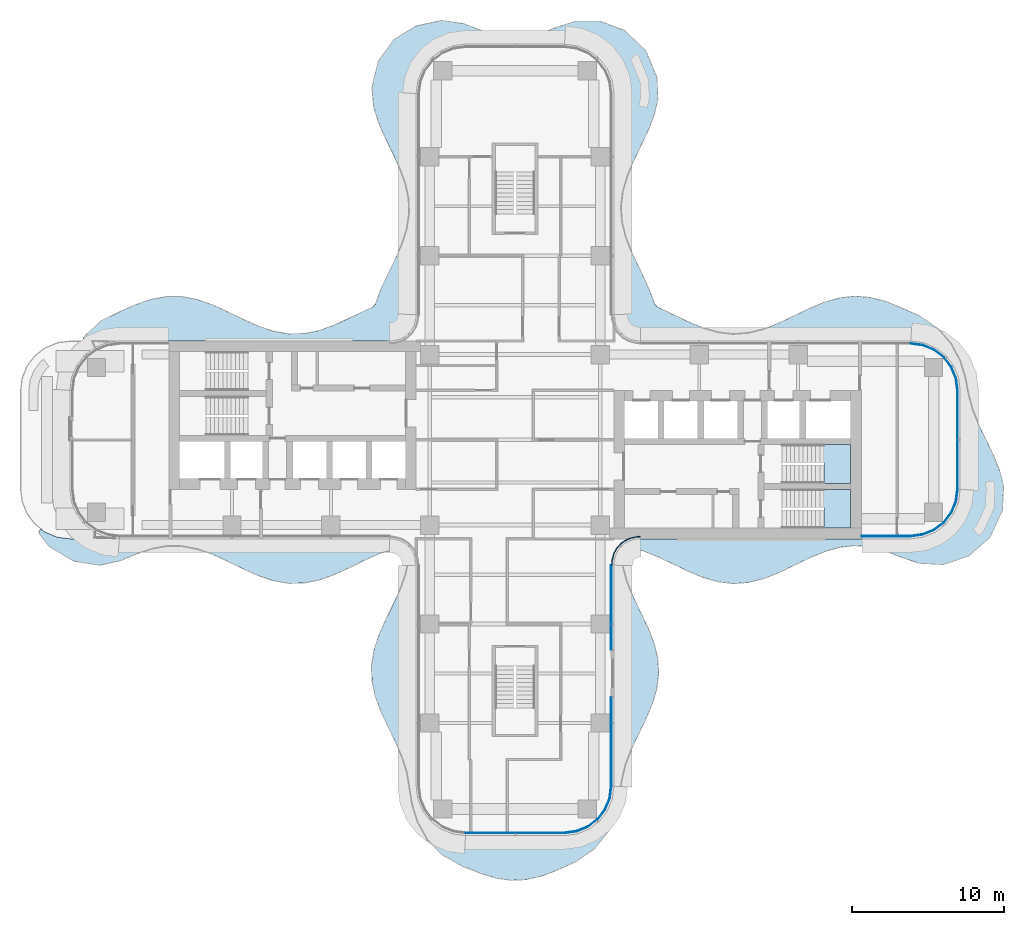
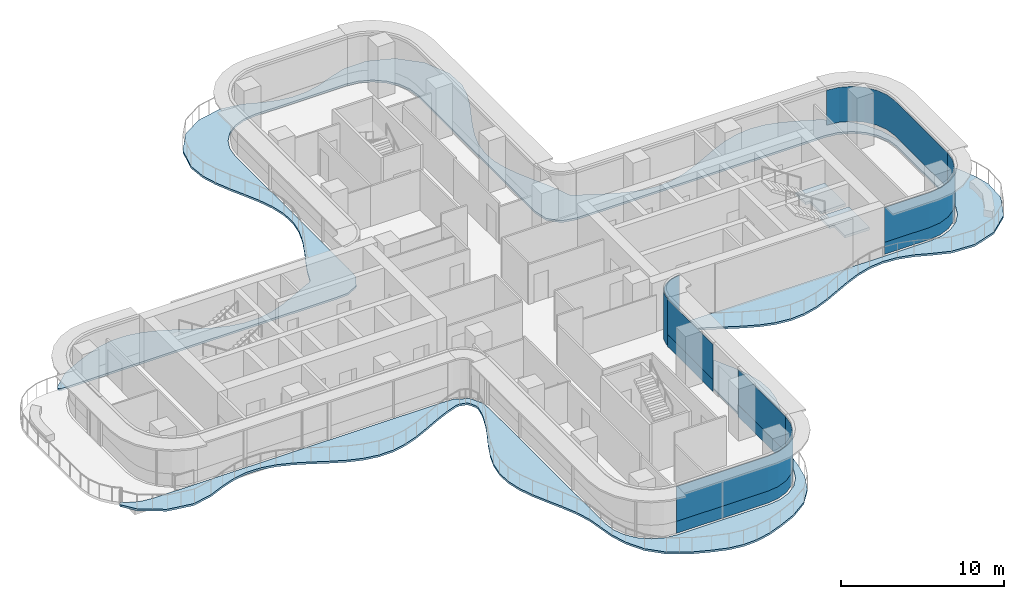
# One storey, part 10 of 17: 10 plates, 3 slabs, 8 elements without a shape of their own.
"""IFC4 building model written with IfcOpenShell, lengths in metres."""

from ifc_helpers import new_model, si_unit, direction, frame, origin, place, context, subcontext, project, spatial, polyline, outline, extrude, source, transform, mapped, material, layer, layer_set, type_object, element, aggregate, save


model = new_model("IFC4")

# Units and contexts
model_context = context("Model", 3, precision=1e-05, world=origin(), true_north=direction((0.0, 1.0)))
body_context = subcontext(model_context, "Body", "Model", "MODEL_VIEW")
ifc_project = project(units=[si_unit("LENGTHUNIT", "METRE"), si_unit("AREAUNIT", "SQUARE_METRE"), si_unit("VOLUMEUNIT", "CUBIC_METRE"), si_unit("PLANEANGLEUNIT", "RADIAN"), si_unit("MASSUNIT", "GRAM", prefix="KILO")], contexts=[model_context])

# Site, building, storey
site_placement = place(None, origin())
site = spatial("IfcSite", under=ifc_project, at=site_placement, CompositionType="ELEMENT")
building_placement = place(site_placement, origin())
building = spatial("IfcBuilding", under=site, at=building_placement, Name="Trellis Farm Tower", CompositionType="ELEMENT")
storey_placement = place(building_placement, frame((0.0, 0.0, 162.0)))
storey = spatial("IfcBuildingStorey", under=building, at=storey_placement, Name="L34", CompositionType="ELEMENT", Elevation=162.0)

# Slab
ifc_material_1 = material(Name="Concrete C40/50", Category="concrete")
ifc_layer_1 = layer(ifc_material_1, 0.14990234375)
ifc_layer_set_1 = layer_set([ifc_layer_1], Name="Balcony slab 150")
slab_type_1 = type_object("IfcSlabType", Name="Balcony slab 150", PredefinedType="FLOOR", material=ifc_layer_set_1)
slab_1_placement = place(storey_placement, frame((0.0, 0.0, -0.14990234375)))
element("IfcSlab", 1, at=slab_1_placement, inside=storey, type_object=slab_type_1, Name="Balcony slab", PredefinedType="FLOOR", context=body_context, shape_type="SweptSolid", body=[
    extrude(outline(polyline([(-31.310546875, -6.02294921875), (-31.26611328125, -5.927490234375), (-31.170166015625, -5.884521484375), (-31.069580078125, -5.915283203125), (-30.8828125, -6.05859375), (-30.865966796875, -6.068359375), (-30.10009765625, -6.385498046875), (-30.081298828125, -6.390380859375), (-29.2548828125, -6.49951171875), (-29.2451171875, -6.5), (-26.004638671875, -6.5), (-26.0, -6.50048828125), (-8.84716796875, -6.50048828125), (-7.9208984375, -6.538818359375), (-7.88818359375, -6.543701171875), (-7.847412109375, -6.5546875), (-7.816650390625, -6.56640625), (-7.064453125, -6.959228515625), (-7.02783203125, -6.986083984375), (-6.988037109375, -7.02587890625), (-6.961181640625, -7.0625), (-6.5673828125, -7.81396484375), (-6.555419921875, -7.8447265625), (-6.544189453125, -7.8857421875), (-6.539306640625, -7.918212890625), (-6.50048828125, -8.844482421875), (-6.50048828125, -22.75), (-6.389892578125, -23.59130859375), (-6.065185546875, -24.375244140625), (-5.548583984375, -25.048583984375), (-4.875244140625, -25.565185546875), (-4.09130859375, -25.889892578125), (-3.25, -26.00048828125), (3.25, -26.00048828125), (4.09130859375, -25.889892578125), (4.875244140625, -25.565185546875), (5.548583984375, -25.048583984375), (6.065185546875, -24.375244140625), (6.389892578125, -23.59130859375), (6.50048828125, -22.75), (6.50048828125, -8.386962890625), (6.503173828125, -8.362548828125), (6.68798828125, -7.46533203125), (6.702880859375, -7.424072265625), (6.728515625, -7.376953125), (6.75439453125, -7.34228515625), (7.344482421875, -6.753173828125), (7.379150390625, -6.727294921875), (7.426513671875, -6.70166015625), (7.4677734375, -6.686767578125), (8.365234375, -6.5029296875), (8.389404296875, -6.50048828125), (26.0, -6.50048828125), (26.84130859375, -6.389892578125), (27.625244140625, -6.065185546875), (28.298583984375, -5.548583984375), (28.815185546875, -4.875244140625), (29.139892578125, -4.09130859375), (29.25048828125, -3.25), (29.25048828125, 3.25), (29.139892578125, 4.09130859375), (28.815185546875, 4.875244140625), (28.298583984375, 5.548583984375), (27.625244140625, 6.065185546875), (26.84130859375, 6.389892578125), (26.0, 6.50048828125), (8.389404296875, 6.50048828125), (8.365234375, 6.5029296875), (7.4677734375, 6.686767578125), (7.426513671875, 6.70166015625), (7.379150390625, 6.727294921875), (7.344482421875, 6.753173828125), (6.75439453125, 7.34228515625), (6.728515625, 7.376953125), (6.702880859375, 7.424072265625), (6.68798828125, 7.46533203125), (6.503173828125, 8.362548828125), (6.50048828125, 8.386962890625), (6.50048828125, 22.75), (6.389892578125, 23.59130859375), (6.065185546875, 24.375244140625), (5.548583984375, 25.048583984375), (4.875244140625, 25.565185546875), (4.09130859375, 25.889892578125), (3.25, 26.00048828125), (-3.25, 26.00048828125), (-4.09130859375, 25.889892578125), (-4.875244140625, 25.565185546875), (-5.548583984375, 25.048583984375), (-6.065185546875, 24.375244140625), (-6.389892578125, 23.59130859375), (-6.50048828125, 22.75), (-6.50048828125, 8.84814453125), (-6.539306640625, 7.918212890625), (-6.54443359375, 7.885498046875), (-6.555419921875, 7.8447265625), (-6.5673828125, 7.81396484375), (-6.961181640625, 7.0625), (-6.988037109375, 7.02587890625), (-7.02783203125, 6.986083984375), (-7.064453125, 6.959228515625), (-7.816650390625, 6.56640625), (-7.847412109375, 6.5546875), (-7.88818359375, 6.543701171875), (-7.9208984375, 6.538818359375), (-8.8505859375, 6.50048828125), (-26.0, 6.50048828125), (-26.004638671875, 6.5), (-28.23291015625, 6.5), (-28.330810546875, 6.53662109375), (-28.381103515625, 6.62841796875), (-28.359130859375, 6.730712890625), (-28.302490234375, 6.8193359375), (-28.276611328125, 6.849853515625), (-27.21337890625, 7.81005859375), (-27.179443359375, 7.833251953125), (-25.909912109375, 8.462646484375), (-25.90185546875, 8.46630859375), (-24.859375, 8.908447265625), (-24.84912109375, 8.912353515625), (-23.87255859375, 9.2451171875), (-23.8505859375, 9.250732421875), (-22.8798828125, 9.425537109375), (-22.852294921875, 9.427978515625), (-21.881103515625, 9.420166015625), (-21.853515625, 9.41748046875), (-20.875, 9.225830078125), (-20.853759765625, 9.219970703125), (-19.8662109375, 8.870361328125), (-19.853759765625, 8.865478515625), (-18.857177734375, 8.409423828125), (-18.853759765625, 8.40771484375), (-17.849609375, 7.916015625), (-17.847412109375, 7.914794921875), (-16.873779296875, 7.479736328125), (-16.8671875, 7.477294921875), (-15.88671875, 7.147216796875), (-15.875732421875, 7.14453125), (-14.89599609375, 6.97265625), (-14.88232421875, 6.971435546875), (-13.896728515625, 6.983642578125), (-13.883056640625, 6.985107421875), (-12.888427734375, 7.18359375), (-12.877685546875, 7.1865234375), (-11.876220703125, 7.544189453125), (-11.870361328125, 7.546875), (-10.864501953125, 8.0087890625), (-10.86279296875, 8.009765625), (-9.8662109375, 8.497802734375), (-9.861083984375, 8.500244140625), (-9.36962890625, 8.718505859375), (-9.356689453125, 8.725830078125), (-9.261474609375, 8.793701171875), (-9.2412109375, 8.815185546875), (-9.179931640625, 8.914794921875), (-9.173583984375, 8.92822265625), (-8.832275390625, 9.85888671875), (-8.827392578125, 9.870361328125), (-8.37158203125, 10.854248046875), (-8.370361328125, 10.85693359375), (-7.87890625, 11.861572265625), (-7.877685546875, 11.864501953125), (-7.43701171875, 12.868896484375), (-7.43408203125, 12.876220703125), (-7.114990234375, 13.87646484375), (-7.1123046875, 13.887939453125), (-6.962646484375, 14.880126953125), (-6.9619140625, 14.894287109375), (-7.00048828125, 15.877685546875), (-7.002197265625, 15.89111328125), (-7.219970703125, 16.8701171875), (-7.222900390625, 16.880126953125), (-7.588134765625, 17.861572265625), (-7.590576171875, 17.866943359375), (-8.0498046875, 18.85302734375), (-8.05029296875, 18.854248046875), (-8.5341796875, 19.843505859375), (-8.536865234375, 19.849609375), (-8.9736328125, 20.850341796875), (-8.979248046875, 20.865478515625), (-9.288818359375, 21.85107421875), (-9.295166015625, 21.882080078125), (-9.4091796875, 23.105224609375), (-9.40576171875, 23.15380859375), (-9.01025390625, 24.82177734375), (-9.00048828125, 24.849853515625), (-8.984619140625, 24.884765625), (-8.969482421875, 24.910400390625), (-7.972900390625, 26.281005859375), (-7.953857421875, 26.302734375), (-7.92626953125, 26.328125), (-7.9033203125, 26.345703125), (-6.55908203125, 27.1787109375), (-6.511962890625, 27.19775390625), (-4.860595703125, 27.55859375), (-4.8330078125, 27.56201171875), (-4.79833984375, 27.56298828125), (-4.771240234375, 27.561279296875), (-3.37060546875, 27.34716796875), (-3.33837890625, 27.338623046875), (-2.2626953125, 26.9169921875), (-2.2578125, 26.915283203125), (-1.281494140625, 26.609130859375), (-1.27001953125, 26.6064453125), (-0.289794921875, 26.4619140625), (-0.27587890625, 26.461181640625), (0.711181640625, 26.50244140625), (0.724609375, 26.50439453125), (1.720458984375, 26.72998046875), (1.730224609375, 26.73291015625), (2.748046875, 27.116455078125), (2.755615234375, 27.118896484375), (3.955078125, 27.501220703125), (3.999267578125, 27.50830078125), (5.518310546875, 27.52099609375), (5.5458984375, 27.5185546875), (5.581298828125, 27.51220703125), (5.608154296875, 27.5048828125), (7.19189453125, 26.9052734375), (7.218994140625, 26.8916015625), (7.252197265625, 26.87060546875), (7.27587890625, 26.851806640625), (8.55908203125, 25.614013671875), (8.578857421875, 25.59033203125), (8.601318359375, 25.557373046875), (8.615966796875, 25.5302734375), (9.31689453125, 23.828369140625), (9.324951171875, 23.802978515625), (9.332275390625, 23.76953125), (9.33544921875, 23.743408203125), (9.38818359375, 22.391845703125), (9.384521484375, 22.35205078125), (9.156494140625, 21.3701171875), (9.150390625, 21.35009765625), (8.76611328125, 20.34912109375), (8.76123046875, 20.338134765625), (7.812744140625, 18.3603515625), (7.8115234375, 18.357421875), (7.391357421875, 17.373779296875), (7.388427734375, 17.36572265625), (7.07958984375, 16.330078125), (7.0771484375, 16.31787109375), (6.955810546875, 15.3271484375), (6.95556640625, 15.31298828125), (7.02294921875, 14.330810546875), (7.02490234375, 14.31787109375), (7.268310546875, 13.33837890625), (7.27099609375, 13.329345703125), (7.65478515625, 12.347412109375), (7.656982421875, 12.34228515625), (8.60986328125, 10.356689453125), (8.61279296875, 10.35009765625), (9.02587890625, 9.373291015625), (9.031005859375, 9.359619140625), (9.15576171875, 8.960693359375), (9.162109375, 8.9462890625), (9.223388671875, 8.837890625), (9.244384765625, 8.814453125), (9.345947265625, 8.74072265625), (9.357421875, 8.73388671875), (11.349365234375, 7.777587890625), (11.352783203125, 7.77587890625), (12.336181640625, 7.36328125), (12.34423828125, 7.3603515625), (13.32373046875, 7.074951171875), (13.3359375, 7.072509765625), (14.316650390625, 6.95556640625), (14.330810546875, 6.955078125), (15.319091796875, 7.02587890625), (15.33203125, 7.02783203125), (16.3291015625, 7.27978515625), (16.33837890625, 7.28271484375), (17.36279296875, 7.688720703125), (17.367431640625, 7.69091796875), (19.3447265625, 8.641357421875), (19.352294921875, 8.644775390625), (20.33447265625, 9.052734375), (20.35107421875, 9.05859375), (21.324951171875, 9.335205078125), (21.349609375, 9.340087890625), (22.319580078125, 9.4462890625), (22.34814453125, 9.44677734375), (23.321533203125, 9.366943359375), (23.34716796875, 9.362548828125), (24.3291015625, 9.105712890625), (24.346923828125, 9.099853515625), (25.34814453125, 8.69775390625), (25.35302734375, 8.69580078125), (26.54150390625, 8.1708984375), (26.5654296875, 8.15771484375), (27.773193359375, 7.335205078125), (27.802490234375, 7.30908203125), (28.646728515625, 6.330322265625), (28.66552734375, 6.302978515625), (29.239990234375, 5.2265625), (29.251220703125, 5.199951171875), (29.586669921875, 4.104736328125), (29.5908203125, 4.08837890625), (29.79541015625, 2.99267578125), (29.796875, 2.98681640625), (30.069580078125, 1.982666015625), (30.07275390625, 1.97412109375), (30.473388671875, 0.991455078125), (30.47509765625, 0.9873046875), (31.4306640625, -1.0), (31.434326171875, -1.008544921875), (31.829345703125, -1.97900390625), (31.83544921875, -1.9970703125), (32.094970703125, -2.9794921875), (32.099609375, -3.02392578125), (32.035400390625, -4.577392578125), (32.03125, -4.606689453125), (32.0224609375, -4.642578125), (32.01318359375, -4.669677734375), (31.243896484375, -6.34375), (31.227783203125, -6.370849609375), (31.20361328125, -6.4033203125), (31.18212890625, -6.426513671875), (29.8310546875, -7.60888671875), (29.806884765625, -7.626220703125), (29.773681640625, -7.645263671875), (29.746337890625, -7.657470703125), (28.1728515625, -8.182373046875), (28.14599609375, -8.188720703125), (28.110595703125, -8.193603515625), (28.082275390625, -8.194580078125), (26.56103515625, -8.1142578125), (26.52001953125, -8.106201171875), (25.355712890625, -7.70458984375), (25.348876953125, -7.7021484375), (24.33203125, -7.295654296875), (24.322998046875, -7.292724609375), (23.32568359375, -7.034423828125), (23.312744140625, -7.0322265625), (22.32421875, -6.95458984375), (22.309814453125, -6.95458984375), (21.3291015625, -7.064697265625), (21.31689453125, -7.067138671875), (20.337158203125, -7.3466796875), (20.3291015625, -7.349609375), (19.345703125, -7.75830078125), (19.342041015625, -7.760009765625), (17.364501953125, -8.710693359375), (17.35498046875, -8.71484375), (16.353759765625, -9.11279296875), (16.33544921875, -9.11865234375), (15.353759765625, -9.369384765625), (15.327880859375, -9.37353515625), (14.354736328125, -9.446044921875), (14.326171875, -9.445556640625), (13.356201171875, -9.332275390625), (13.331787109375, -9.327392578125), (12.357666015625, -9.044677734375), (12.341552734375, -9.0390625), (11.35888671875, -8.626953125), (11.351806640625, -8.623779296875), (9.37353515625, -7.67333984375), (9.368896484375, -7.67138671875), (8.42431640625, -7.292724609375), (8.40771484375, -7.2880859375), (7.783935546875, -7.19287109375), (7.767333984375, -7.192138671875), (7.648681640625, -7.200439453125), (7.619873046875, -7.20849609375), (7.513916015625, -7.263671875), (7.5009765625, -7.272216796875), (7.23583984375, -7.48876953125), (7.224609375, -7.499755859375), (7.148193359375, -7.59521484375), (7.13427734375, -7.622802734375), (7.103515625, -7.7412109375), (7.10107421875, -7.756591796875), (7.076171875, -8.3046875), (7.07666015625, -8.317138671875), (7.08935546875, -8.420654296875), (7.091796875, -8.432861328125), (7.361083984375, -9.336181640625), (7.364013671875, -9.34375), (7.793701171875, -10.3642578125), (7.795166015625, -10.36767578125), (8.74951171875, -12.356689453125), (8.75390625, -12.3671875), (9.13134765625, -13.33544921875), (9.13720703125, -13.35400390625), (9.377197265625, -14.326171875), (9.381103515625, -14.352783203125), (9.444091796875, -15.355712890625), (9.443115234375, -15.384521484375), (9.31591796875, -16.3544921875), (9.310791015625, -16.378173828125), (9.023193359375, -17.334716796875), (9.017578125, -17.35009765625), (8.591064453125, -18.351806640625), (8.58837890625, -18.35791015625), (7.64013671875, -20.335205078125), (7.6376953125, -20.340576171875), (7.2587890625, -21.322265625), (7.255859375, -21.33154296875), (7.01513671875, -22.326171875), (7.013671875, -22.333984375), (6.87060546875, -23.41162109375), (6.868408203125, -23.42333984375), (6.63330078125, -24.5234375), (6.62451171875, -24.55126953125), (6.121826171875, -25.725830078125), (6.101318359375, -25.76025390625), (5.24169921875, -26.841552734375), (5.21044921875, -26.87109375), (4.004638671875, -27.715576171875), (3.97998046875, -27.7294921875), (2.75634765625, -28.27978515625), (2.748046875, -28.282958984375), (1.769287109375, -28.65576171875), (1.74951171875, -28.66162109375), (0.7470703125, -28.893310546875), (0.719970703125, -28.89697265625), (-0.252197265625, -28.94091796875), (-0.2802734375, -28.939697265625), (-1.22314453125, -28.8046875), (-1.246337890625, -28.799560546875), (-2.24853515625, -28.48828125), (-2.25830078125, -28.48486328125), (-3.381103515625, -28.04931640625), (-3.399169921875, -28.041015625), (-4.72998046875, -27.309326171875), (-4.764404296875, -27.283447265625), (-5.749267578125, -26.28759765625), (-5.77392578125, -26.254638671875), (-6.39453125, -25.12939453125), (-6.406005859375, -25.1025390625), (-6.75830078125, -23.998779296875), (-6.76318359375, -23.977294921875), (-7.10302734375, -21.879638671875), (-7.105712890625, -21.869140625), (-7.419189453125, -20.8701171875), (-7.422119140625, -20.86279296875), (-7.865478515625, -19.844482421875), (-7.86669921875, -19.841552734375), (-8.3515625, -18.8505859375), (-8.352783203125, -18.847900390625), (-8.816650390625, -17.850341796875), (-8.8212890625, -17.839111328125), (-9.186279296875, -16.850341796875), (-9.192138671875, -16.830078125), (-9.40380859375, -15.8505859375), (-9.406982421875, -15.823486328125), (-9.4365234375, -14.851806640625), (-9.434814453125, -14.823486328125), (-9.280029296875, -13.853271484375), (-9.274658203125, -13.83056640625), (-8.957763671875, -12.854736328125), (-8.952392578125, -12.840576171875), (-8.521484375, -11.862548828125), (-8.51904296875, -11.85693359375), (-8.03173828125, -10.861328125), (-8.031005859375, -10.85986328125), (-7.57421875, -9.874267578125), (-7.57177734375, -9.868408203125), (-7.19775390625, -8.837890625), (-7.194580078125, -8.826904296875), (-7.046630859375, -8.08251953125), (-7.045654296875, -8.05859375), (-7.070068359375, -7.864013671875), (-7.07666015625, -7.841064453125), (-7.2490234375, -7.478759765625), (-7.2578125, -7.46484375), (-7.336669921875, -7.364013671875), (-7.36181640625, -7.343505859375), (-7.476318359375, -7.285888671875), (-7.49169921875, -7.2802734375), (-7.87451171875, -7.184326171875), (-7.895751953125, -7.18212890625), (-8.072509765625, -7.189453125), (-8.093505859375, -7.193603515625), (-8.872802734375, -7.461181640625), (-8.878662109375, -7.463623046875), (-9.853515625, -7.896240234375), (-9.85595703125, -7.8974609375), (-10.8603515625, -8.38916015625), (-10.863525390625, -8.390625), (-11.8603515625, -8.849365234375), (-11.872314453125, -8.854248046875), (-12.83642578125, -9.202392578125), (-12.85693359375, -9.2080078125), (-13.827880859375, -9.409423828125), (-13.855712890625, -9.41259765625), (-14.858642578125, -9.43115234375), (-14.886962890625, -9.428955078125), (-15.857421875, -9.2607421875), (-15.87939453125, -9.255126953125), (-16.840087890625, -8.93359375), (-16.853515625, -8.92822265625), (-17.848876953125, -8.484619140625), (-17.853759765625, -8.482177734375), (-18.856689453125, -7.99072265625), (-18.8583984375, -7.989990234375), (-19.864013671875, -7.530517578125), (-19.8701171875, -7.528076171875), (-20.87158203125, -7.17578125), (-20.882080078125, -7.1728515625), (-21.87646484375, -6.981201171875), (-21.890380859375, -6.979736328125), (-22.87548828125, -6.974853515625), (-22.88916015625, -6.97607421875), (-23.817626953125, -7.141357421875), (-23.828369140625, -7.14404296875), (-24.832763671875, -7.481689453125), (-24.838134765625, -7.483642578125), (-25.897216796875, -7.93359375), (-25.923828125, -7.942138671875), (-27.28955078125, -8.240234375), (-27.318115234375, -8.24365234375), (-27.35546875, -8.24462890625), (-27.38427734375, -8.242431640625), (-29.0185546875, -7.96240234375), (-29.04638671875, -7.954833984375), (-29.081298828125, -7.94140625), (-29.107177734375, -7.9287109375), (-30.60791015625, -6.998291015625), (-30.63037109375, -6.9814453125), (-30.6572265625, -6.956787109375), (-30.676025390625, -6.935791015625), (-31.28125, -6.123779296875), (-31.310546875, -6.02294921875)])), origin(), (0.0, 0.0, 1.0), 0.14990234375),
])

# Stair, slab
ifc_material_2 = material(Name="Concrete C50/60", Category="concrete")
stair_type = type_object("IfcStairType", Name="CORE EXIT STAIR 22 RISERS 177 MM", PredefinedType="HALF_TURN_STAIR", material=ifc_material_2)
placement_1 = place(storey_placement, origin())
stair_1 = element("IfcStair", 2, at=placement_1, inside=storey, type_object=stair_type, Name="Exit stair E1", PredefinedType="HALF_TURN_STAIR")
ifc_layer_2 = layer(ifc_material_2, 0.18994140625)
ifc_layer_set_2 = layer_set([ifc_layer_2], Name="CORE STAIR LANDING 190 CONCRETE C50/60")
slab_type_2 = type_object("IfcSlabType", Name="CORE STAIR LANDING 190 CONCRETE C50/60", PredefinedType="LANDING", material=ifc_layer_set_2)
shared_shape_1 = source(origin(), body_context, "Body", "SweptSolid", [
    extrude(outline(polyline([(20.2900390625, -5.800048828125), (20.2900390625, -4.60009765625), (20.300048828125, -4.60009765625), (20.300048828125, -4.449951171875), (19.971923828125, -4.449951171875), (19.971923828125, -3.25), (20.300048828125, -3.25), (22.050048828125, -3.25), (22.050048828125, -5.800048828125), (20.300048828125, -5.800048828125), (20.2900390625, -5.800048828125)])), origin(), (0.0, 0.0, 1.0), 0.18994140625),
])
placement_2 = place(storey_placement, frame((0.0, 0.0, 1.760009765625)))
slab_2 = element("IfcSlab", 3, at=placement_2, type_object=slab_type_2, Name="STE1 landing 1", PredefinedType="LANDING", context=body_context, shape_type="MappedRepresentation", body=[
    mapped(shared_shape_1, transform((0.0, 0.0, 0.0))),
])
aggregate(stair_1, [slab_2])

stair_2 = element("IfcStair", 4, at=placement_1, inside=storey, type_object=stair_type, Name="Exit stair E2", PredefinedType="HALF_TURN_STAIR")
shared_shape_2 = source(origin(), body_context, "Body", "SweptSolid", [
    extrude(outline(polyline([(20.2900390625, -2.85009765625), (20.2900390625, -1.64990234375), (20.300048828125, -1.64990234375), (20.300048828125, -1.5), (19.971923828125, -1.5), (19.971923828125, -0.300048828125), (20.300048828125, -0.300048828125), (22.050048828125, -0.300048828125), (22.050048828125, -2.85009765625), (20.300048828125, -2.85009765625), (20.2900390625, -2.85009765625)])), origin(), (0.0, 0.0, 1.0), 0.18994140625),
])
slab_3 = element("IfcSlab", 5, at=placement_2, type_object=slab_type_2, Name="STE2 landing 1", PredefinedType="LANDING", context=body_context, shape_type="MappedRepresentation", body=[
    mapped(shared_shape_2, transform((0.0, 0.0, 0.0))),
])
aggregate(stair_2, [slab_3])

# Curtain wall, plate
ifc_material_3 = material(Name="Aluminium and glass curtain wall", Category="aluminium")
ifc_layer_3 = layer(ifc_material_3, 0.18994140625)
ifc_layer_set_3 = layer_set([ifc_layer_3], Name="RIBBON CURTAIN WALL CW1")
curtain_wall_type_1 = type_object("IfcCurtainWallType", Name="RIBBON CURTAIN WALL CW1", PredefinedType="NOTDEFINED", material=ifc_layer_set_3)
curtain_wall_1 = element("IfcCurtainWall", 6, at=placement_1, inside=storey, type_object=curtain_wall_type_1, Name="CW1 006", PredefinedType="NOTDEFINED")
ifc_material_4 = material(Name="Sandstone faced insulated panel", Category="masonry")
ifc_layer_4 = layer(ifc_material_4, 0.050048828125)
ifc_layer_set_4 = layer_set([ifc_layer_4], Name="CW1 STONE SPANDREL PANEL 50")
plate_type_1 = type_object("IfcPlateType", Name="CW1 STONE SPANDREL PANEL 50", PredefinedType="CURTAIN_PANEL", material=ifc_layer_set_4)
shared_shape_3 = source(origin(), body_context, "Body", "SweptSolid", [
    extrude(outline(polyline([(22.780029296875, -6.35009765625), (25.990234375, -6.35009765625), (26.802001953125, -6.2431640625), (27.54931640625, -5.93359375), (28.191162109375, -5.441162109375), (28.68359375, -4.79931640625), (28.9931640625, -4.052001953125), (29.10009765625, -3.240234375), (29.050048828125, -3.23681640625), (28.9443359375, -4.0390625), (28.639892578125, -4.774169921875), (28.155517578125, -5.405517578125), (27.524169921875, -5.889892578125), (26.7890625, -6.1943359375), (25.98681640625, -6.300048828125), (22.780029296875, -6.300048828125), (22.780029296875, -6.35009765625)])), origin(), (0.0, 0.0, 1.0), 0.89990234375),
])
plate_1 = element("IfcPlate", 7, at=placement_1, type_object=plate_type_1, Name="PS1 006", PredefinedType="CURTAIN_PANEL", context=body_context, shape_type="MappedRepresentation", body=[
    mapped(shared_shape_3, transform((0.0, 0.0, 0.0))),
])

curtain_wall_2 = element("IfcCurtainWall", 8, at=placement_1, inside=storey, type_object=curtain_wall_type_1, Name="CW1 003", PredefinedType="NOTDEFINED")
shared_shape_4 = source(origin(), body_context, "Body", "SweptSolid", [
    extrude(outline(polyline([(-3.240234375, -25.85009765625), (3.240234375, -25.85009765625), (4.052001953125, -25.7431640625), (4.79931640625, -25.43359375), (5.441162109375, -24.941162109375), (5.93359375, -24.29931640625), (6.2431640625, -23.552001953125), (6.35009765625, -22.740234375), (6.300048828125, -22.73681640625), (6.1943359375, -23.5390625), (5.889892578125, -24.274169921875), (5.405517578125, -24.905517578125), (4.774169921875, -25.389892578125), (4.0390625, -25.6943359375), (3.23681640625, -25.800048828125), (-3.23681640625, -25.800048828125), (-3.240234375, -25.85009765625)])), origin(), (0.0, 0.0, 1.0), 0.89990234375),
])
plate_2 = element("IfcPlate", 9, at=placement_1, type_object=plate_type_1, Name="PS1 003", PredefinedType="CURTAIN_PANEL", context=body_context, shape_type="MappedRepresentation", body=[
    mapped(shared_shape_4, transform((0.0, 0.0, 0.0))),
])

curtain_wall_3 = element("IfcCurtainWall", 10, at=placement_1, inside=storey, type_object=curtain_wall_type_1, Name="CW1 004", PredefinedType="NOTDEFINED")
shared_shape_5 = source(origin(), body_context, "Body", "SweptSolid", [
    extrude(outline(polyline([(6.35009765625, -22.740234375), (6.35009765625, -16.909912109375), (6.300048828125, -16.909912109375), (6.300048828125, -22.73681640625), (6.35009765625, -22.740234375)])), origin(), (0.0, 0.0, 1.0), 0.89990234375),
])
plate_3 = element("IfcPlate", 11, at=placement_1, type_object=plate_type_1, Name="PS1 004", PredefinedType="CURTAIN_PANEL", context=body_context, shape_type="MappedRepresentation", body=[
    mapped(shared_shape_5, transform((0.0, 0.0, 0.0))),
])

curtain_wall_4 = element("IfcCurtainWall", 12, at=placement_1, inside=storey, type_object=curtain_wall_type_1, Name="CW1 005", PredefinedType="NOTDEFINED")
shared_shape_6 = source(origin(), body_context, "Body", "SweptSolid", [
    extrude(outline(polyline([(6.35009765625, -13.7900390625), (6.35009765625, -8.2265625), (6.300048828125, -8.224853515625), (6.300048828125, -13.7900390625), (6.35009765625, -13.7900390625)])), origin(), (0.0, 0.0, 1.0), 0.89990234375),
])
plate_4 = element("IfcPlate", 13, at=placement_1, type_object=plate_type_1, Name="PS1 005", PredefinedType="CURTAIN_PANEL", context=body_context, shape_type="MappedRepresentation", body=[
    mapped(shared_shape_6, transform((0.0, 0.0, 0.0))),
])

ifc_layer_5 = layer(ifc_material_3, 0.166015625)
ifc_layer_set_5 = layer_set([ifc_layer_5], Name="WINTER GARDEN CURTAIN WALL CW3")
curtain_wall_type_2 = type_object("IfcCurtainWallType", Name="WINTER GARDEN CURTAIN WALL CW3", PredefinedType="NOTDEFINED", material=ifc_layer_set_5)
curtain_wall_5 = element("IfcCurtainWall", 14, at=placement_1, inside=storey, type_object=curtain_wall_type_2, Name="CW3 002", PredefinedType="NOTDEFINED")
ifc_material_5 = material(Name="Clear insulated glass", Category="glass")
ifc_layer_6 = layer(ifc_material_5, 0.0458984375)
ifc_layer_set_6 = layer_set([ifc_layer_6], Name="CW3 GLASS PANEL 46")
plate_type_2 = type_object("IfcPlateType", Name="CW3 GLASS PANEL 46", PredefinedType="CURTAIN_PANEL", material=ifc_layer_set_6)
shared_shape_7 = source(origin(), body_context, "Body", "SweptSolid", [
    extrude(outline(polyline([(6.3798828125, -8.2275390625), (6.394287109375, -8.0078125), (6.40966796875, -7.89208984375), (6.52490234375, -7.462158203125), (6.7509765625, -7.070556640625), (7.070556640625, -6.7509765625), (7.462158203125, -6.52490234375), (7.89208984375, -6.40966796875), (8.0078125, -6.394287109375), (8.2275390625, -6.3798828125), (8.22607421875, -6.333984375), (8.003173828125, -6.3486328125), (7.883056640625, -6.364501953125), (7.4443359375, -6.48193359375), (7.04248046875, -6.714111328125), (6.714111328125, -7.04248046875), (6.48193359375, -7.4443359375), (6.364501953125, -7.883056640625), (6.3486328125, -8.003173828125), (6.333984375, -8.22607421875), (6.3798828125, -8.2275390625)])), origin(), (0.0, 0.0, 1.0), 3.550048828125),
])
plate_5 = element("IfcPlate", 15, at=placement_1, type_object=plate_type_2, Name="PL3 002", PredefinedType="CURTAIN_PANEL", context=body_context, shape_type="MappedRepresentation", body=[
    mapped(shared_shape_7, transform((0.0, 0.0, 0.0))),
])
aggregate(curtain_wall_5, [plate_5])

# Plate
ifc_layer_7 = layer(ifc_material_5, 0.0400390625)
ifc_layer_set_7 = layer_set([ifc_layer_7], Name="CW1 GLASS PANEL 40")
plate_type_3 = type_object("IfcPlateType", Name="CW1 GLASS PANEL 40", PredefinedType="CURTAIN_PANEL", material=ifc_layer_set_7)
shared_shape_8 = source(origin(), body_context, "Body", "SweptSolid", [
    extrude(outline(polyline([(-3.240234375, -25.85009765625), (3.240234375, -25.85009765625), (4.052001953125, -25.7431640625), (4.79931640625, -25.43359375), (5.441162109375, -24.941162109375), (5.93359375, -24.29931640625), (6.2431640625, -23.552001953125), (6.35009765625, -22.740234375), (6.31005859375, -22.737548828125), (6.2041015625, -23.54150390625), (5.898681640625, -24.279296875), (5.41259765625, -24.91259765625), (4.779296875, -25.398681640625), (4.04150390625, -25.7041015625), (3.237548828125, -25.81005859375), (-3.237548828125, -25.81005859375), (-3.240234375, -25.85009765625)])), origin(), (0.0, 0.0, 1.0), 2.6201171875),
])
placement_3 = place(storey_placement, frame((0.0, 0.0, 0.89990234375)))
plate_6 = element("IfcPlate", 16, at=placement_3, type_object=plate_type_3, Name="PL1 003", PredefinedType="CURTAIN_PANEL", context=body_context, shape_type="MappedRepresentation", body=[
    mapped(shared_shape_8, transform((0.0, 0.0, 0.0))),
])

aggregate(curtain_wall_2, [plate_6, plate_2])

shared_shape_9 = source(origin(), body_context, "Body", "SweptSolid", [
    extrude(outline(polyline([(22.780029296875, -6.35009765625), (25.990234375, -6.35009765625), (26.802001953125, -6.2431640625), (27.54931640625, -5.93359375), (28.191162109375, -5.441162109375), (28.68359375, -4.79931640625), (28.9931640625, -4.052001953125), (29.10009765625, -3.240234375), (29.06005859375, -3.237548828125), (28.9541015625, -4.04150390625), (28.648681640625, -4.779296875), (28.16259765625, -5.41259765625), (27.529296875, -5.898681640625), (26.79150390625, -6.2041015625), (25.987548828125, -6.31005859375), (22.780029296875, -6.31005859375), (22.780029296875, -6.35009765625)])), origin(), (0.0, 0.0, 1.0), 2.6201171875),
])
plate_7 = element("IfcPlate", 17, at=placement_3, type_object=plate_type_3, Name="PL1 006", PredefinedType="CURTAIN_PANEL", context=body_context, shape_type="MappedRepresentation", body=[
    mapped(shared_shape_9, transform((0.0, 0.0, 0.0))),
])

aggregate(curtain_wall_1, [plate_7, plate_1])

# Curtain wall, plate
curtain_wall_6 = element("IfcCurtainWall", 18, at=placement_1, inside=storey, type_object=curtain_wall_type_1, Name="CW1 007", PredefinedType="NOTDEFINED")
shared_shape_10 = source(origin(), body_context, "Body", "SweptSolid", [
    extrude(outline(polyline([(29.10009765625, -3.240234375), (29.10009765625, 3.240234375), (28.9931640625, 4.052001953125), (28.68359375, 4.79931640625), (28.191162109375, 5.441162109375), (27.54931640625, 5.93359375), (26.802001953125, 6.2431640625), (25.990234375, 6.35009765625), (25.987548828125, 6.31005859375), (26.79150390625, 6.2041015625), (27.529296875, 5.898681640625), (28.16259765625, 5.41259765625), (28.648681640625, 4.779296875), (28.9541015625, 4.04150390625), (29.06005859375, 3.237548828125), (29.06005859375, -3.237548828125), (29.10009765625, -3.240234375)])), origin(), (0.0, 0.0, 1.0), 2.6201171875),
])
plate_8 = element("IfcPlate", 19, at=placement_3, type_object=plate_type_3, Name="PL1 007", PredefinedType="CURTAIN_PANEL", context=body_context, shape_type="MappedRepresentation", body=[
    mapped(shared_shape_10, transform((0.0, 0.0, 0.0))),
])
aggregate(curtain_wall_6, [plate_8])

# Plate
shared_shape_11 = source(origin(), body_context, "Body", "SweptSolid", [
    extrude(outline(polyline([(6.35009765625, -22.740234375), (6.35009765625, -16.909912109375), (6.31005859375, -16.909912109375), (6.31005859375, -22.737548828125), (6.35009765625, -22.740234375)])), origin(), (0.0, 0.0, 1.0), 2.6201171875),
])
plate_9 = element("IfcPlate", 20, at=placement_3, type_object=plate_type_3, Name="PL1 004", PredefinedType="CURTAIN_PANEL", context=body_context, shape_type="MappedRepresentation", body=[
    mapped(shared_shape_11, transform((0.0, 0.0, 0.0))),
])

aggregate(curtain_wall_3, [plate_9, plate_3])

shared_shape_12 = source(origin(), body_context, "Body", "SweptSolid", [
    extrude(outline(polyline([(6.35009765625, -13.7900390625), (6.35009765625, -8.2265625), (6.31005859375, -8.22509765625), (6.31005859375, -13.7900390625), (6.35009765625, -13.7900390625)])), origin(), (0.0, 0.0, 1.0), 2.6201171875),
])
plate_10 = element("IfcPlate", 21, at=placement_3, type_object=plate_type_3, Name="PL1 005", PredefinedType="CURTAIN_PANEL", context=body_context, shape_type="MappedRepresentation", body=[
    mapped(shared_shape_12, transform((0.0, 0.0, 0.0))),
])

aggregate(curtain_wall_4, [plate_10, plate_4])

save(model, "model.ifc")
